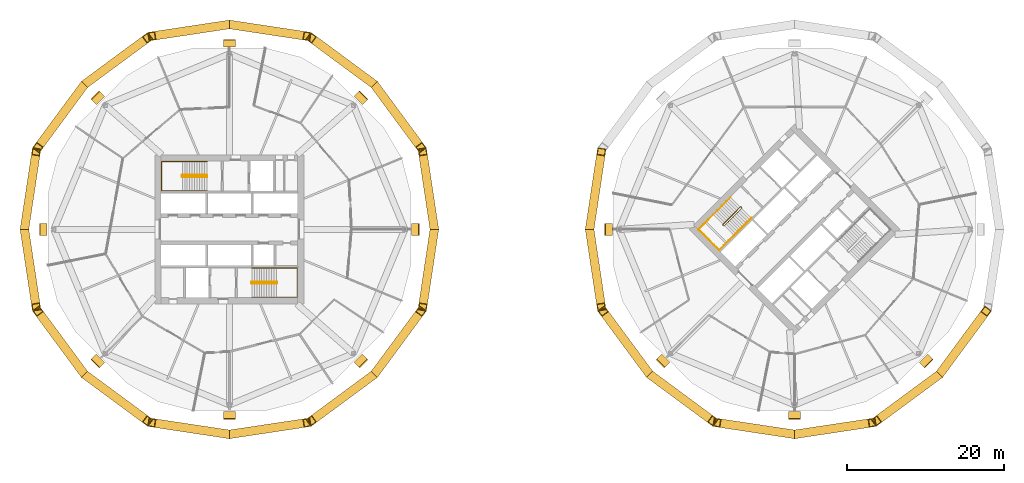
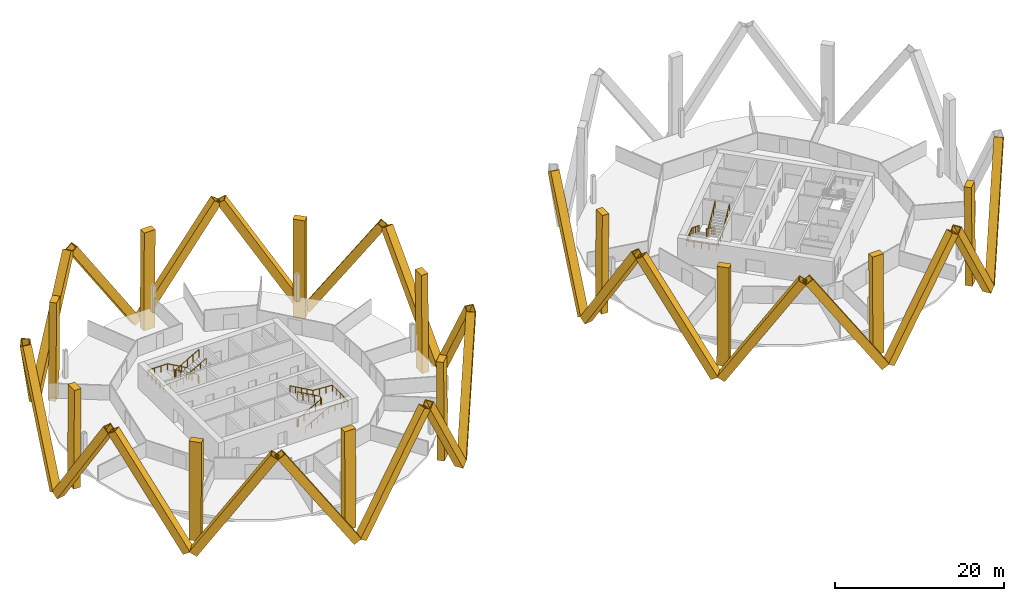
# One storey, part 9 of 10: 36 coverings, 6 railings.
"""IFC4 building model written with IfcOpenShell, lengths in metres."""

from ifc_helpers import new_model, si_unit, direction, frame, origin, origin_2d, place, context, subcontext, project, spatial, rectangle, hollow_rectangle, circle, extrude, material, material_profile, profile_set, type_object, element, save


model = new_model("IFC4")

# Units and contexts
model_context = context("Model", 3, precision=1e-05, world=origin(), true_north=direction((0.0, 1.0)))
body_context = subcontext(model_context, "Body", "Model", "MODEL_VIEW")
ifc_project = project(units=[si_unit("LENGTHUNIT", "METRE"), si_unit("AREAUNIT", "SQUARE_METRE"), si_unit("VOLUMEUNIT", "CUBIC_METRE"), si_unit("PLANEANGLEUNIT", "RADIAN"), si_unit("MASSUNIT", "GRAM", prefix="KILO")], contexts=[model_context])

# Site, building, storey
site_placement = place(None, origin())
site = spatial("IfcSite", under=ifc_project, at=site_placement, CompositionType="ELEMENT")
building_placement = place(site_placement, origin())
building = spatial("IfcBuilding", under=site, at=building_placement, Name="Ogive Gate Towers", CompositionType="ELEMENT")
storey_placement = place(building_placement, frame((0.0, 0.0, 119.10009765625)))
storey = spatial("IfcBuildingStorey", under=building, at=storey_placement, Name="L28", CompositionType="ELEMENT", Elevation=119.10009765625)

# Coverings
ifc_material_1 = material(Name="Pale metal aluminium", Category="aluminium")
ifc_material_profile_1 = material_profile(ifc_material_1, rectangle(XDim=1.5, YDim=0.89990234375, at=origin_2d()), Name="1500 x 900 pale metal aluminium")
ifc_profile_set_1 = profile_set([ifc_material_profile_1], Name="Pale metal aluminium")
covering_type_1 = type_object("IfcCoveringType", Name="Crease colonnette 1500 x 900", PredefinedType="CLADDING", material=ifc_profile_set_1)
for number, where, z_axis, x_axis, name in (
    (1, (-12.22998046875, 0.0, -3.2001953125), (-0.007753704057, 0.0, 0.999969939585), (0.0, -1.0, 0.0), "Crease colonnette"),
    (2, (-19.192138671875, 16.807861328125, -3.2001953125), (-0.005467135943, -0.005467135943, 0.999970109978), (0.707106781187, -0.707106781187, 0.0), "Crease colonnette"),
    (3, (-36.0, 23.77001953125, -3.2001953125), (0.0, -0.007753704057, 0.999969939585), (1.0, 0.0, 0.0), "Crease colonnette"),
    (4, (-52.807861328125, 16.807861328125, -3.2001953125), (0.005467135943, -0.005467135943, 0.999970109978), (0.707106781187, 0.707106781187, 0.0), "Crease colonnette"),
    (5, (-59.77001953125, 0.0, -3.2001953125), (0.007753704057, 0.0, 0.999969939585), (0.0, 1.0, 0.0), "Crease colonnette"),
    (6, (-52.807861328125, -16.807861328125, -3.2001953125), (0.005467135943, 0.005467135943, 0.999970109978), (-0.707106781187, 0.707106781187, 0.0), "Crease colonnette"),
    (7, (-36.0, -23.77001953125, -3.2001953125), (0.0, 0.007753704057, 0.999969939585), (-1.0, 0.0, 0.0), "Crease colonnette"),
    (8, (-19.192138671875, -16.807861328125, -3.2001953125), (-0.005467135943, 0.005467135943, 0.999970109978), (-0.707106781187, -0.707106781187, 0.0), "Crease colonnette"),
    (9, (12.22998046875, 0.0, -3.2001953125), (0.007753704057, 0.0, 0.999969939585), (0.0, 1.0, 0.0), "Crease colonnette"),
    (10, (19.192138671875, -16.807861328125, -3.2001953125), (0.005467135943, 0.005467135943, 0.999970109978), (-0.707106781187, 0.707106781187, 0.0), "Crease colonnette"),
    (11, (36.0, -23.77001953125, -3.2001953125), (0.0, 0.007753704057, 0.999969939585), (-1.0, 0.0, 0.0), "Crease colonnette"),
    (12, (52.807861328125, -16.807861328125, -3.2001953125), (-0.005467135943, 0.005467135943, 0.999970109978), (-0.707106781187, -0.707106781187, 0.0), "Crease colonnette"),
):
    element("IfcCovering", number, at=place(storey_placement, frame(where, z_axis=z_axis, x_axis=x_axis)), inside=storey, type_object=covering_type_1, Name=name, PredefinedType="CLADDING", context=body_context, shape_type="SweptSolid", body=[
        extrude(rectangle(XDim=1.5, YDim=0.89990234375, at=origin_2d()), origin(), (0.0, 0.0, 1.0), 14.20068359375),
    ])
ifc_material_2 = material(Name="Pale metal aluminium cladding", Category="aluminium")
ifc_material_profile_2 = material_profile(ifc_material_2, hollow_rectangle(XDim=1.10009765625, YDim=1.10009765625, WallThickness=0.10009765625, at=origin_2d()), Name="1100 x 1100 pale metal casing")
ifc_profile_set_2 = profile_set([ifc_material_profile_2], Name="Pale metal aluminium cladding")
covering_type_2 = type_object("IfcCoveringType", Name="Diagrid casing 1100 x 1100", PredefinedType="CLADDING", material=ifc_profile_set_2)
for number, where, z_axis, x_axis, name in (
    (13, (-9.935302734375, -0.299560546875, -3.44091796875), (-0.082109716204, -0.544636134816, 0.834643322119), (0.988825734438, -0.149076044059, 0.0), "Diagrid casing"),
    (14, (-9.935302734375, 0.299560546875, -3.44091796875), (-0.082109716204, 0.544636134816, 0.834643322119), (-0.988825734438, -0.149076044059, 0.0), "Diagrid casing"),
    (15, (-17.357421875, 18.218994140625, -3.44091796875), (0.327036666964, -0.443192074417, 0.834642320779), (0.804644593258, 0.593756750311, 0.0), "Diagrid casing"),
    (16, (-17.781005859375, 18.642578125, -3.44091796875), (-0.443192074417, 0.327036666964, 0.834642320779), (-0.593756750311, -0.804644593258, 0.0), "Diagrid casing"),
    (17, (-35.700439453125, 26.064697265625, -3.44091796875), (0.544636134816, -0.082109716204, 0.834643322119), (0.149076044059, 0.988825734438, 0.0), "Diagrid casing"),
    (18, (-36.299560546875, 26.064697265625, -3.44091796875), (-0.544636134816, -0.082109716204, 0.834643322119), (0.149076044059, -0.988825734438, 0.0), "Diagrid casing"),
    (19, (-54.218994140625, 18.642578125, -3.44091796875), (0.443192074417, 0.327036666964, 0.834642320779), (-0.593756750311, 0.804644593258, 0.0), "Diagrid casing"),
    (20, (-54.642578125, 18.218994140625, -3.44091796875), (-0.327036666964, -0.443192074417, 0.834642320779), (0.804644593258, -0.593756750311, 0.0), "Diagrid casing"),
    (21, (-62.064697265625, 0.299560546875, -3.44091796875), (0.082109716204, 0.544636134816, 0.834643322119), (-0.988825734438, 0.149076044059, 0.0), "Diagrid casing"),
    (22, (-62.064697265625, -0.299560546875, -3.44091796875), (0.082109716204, -0.544636134816, 0.834643322119), (0.988825734438, 0.149076044059, 0.0), "Diagrid casing"),
    (23, (-54.642578125, -18.218994140625, -3.44091796875), (-0.327036666964, 0.443192074417, 0.834642320779), (-0.804644593258, -0.593756750311, 0.0), "Diagrid casing"),
    (24, (-54.218994140625, -18.642578125, -3.44091796875), (0.443192074417, -0.327036666964, 0.834642320779), (0.593756750311, 0.804644593258, 0.0), "Diagrid casing"),
    (25, (-36.299560546875, -26.064697265625, -3.44091796875), (-0.544636134816, 0.082109716204, 0.834643322119), (-0.149076044059, -0.988825734438, 0.0), "Diagrid casing"),
    (26, (-35.700439453125, -26.064697265625, -3.44091796875), (0.544636134816, 0.082109716204, 0.834643322119), (-0.149076044059, 0.988825734438, 0.0), "Diagrid casing"),
    (27, (-17.781005859375, -18.642578125, -3.44091796875), (-0.443192074417, -0.327036666964, 0.834642320779), (0.593756750311, -0.804644593258, 0.0), "Diagrid casing"),
    (28, (-17.357421875, -18.218994140625, -3.44091796875), (0.327036666964, 0.443192074417, 0.834642320779), (-0.804644593258, 0.593756750311, 0.0), "Diagrid casing"),
    (29, (9.935302734375, 0.299560546875, -3.44091796875), (0.082109716204, 0.544636134816, 0.834643322119), (-0.988825734438, 0.149076044059, 0.0), "Diagrid casing"),
    (30, (9.935302734375, -0.299560546875, -3.44091796875), (0.082109716204, -0.544636134816, 0.834643322119), (0.988825734438, 0.149076044059, 0.0), "Diagrid casing"),
    (31, (17.357421875, -18.218994140625, -3.44091796875), (-0.327036666964, 0.443192074417, 0.834642320779), (-0.804644593258, -0.593756750311, 0.0), "Diagrid casing"),
    (32, (17.781005859375, -18.642578125, -3.44091796875), (0.443192074417, -0.327036666964, 0.834642320779), (0.593756750311, 0.804644593258, 0.0), "Diagrid casing"),
    (33, (35.700439453125, -26.064697265625, -3.44091796875), (-0.544636134816, 0.082109716204, 0.834643322119), (-0.149076044059, -0.988825734438, 0.0), "Diagrid casing"),
    (34, (36.299560546875, -26.064697265625, -3.44091796875), (0.544636134816, 0.082109716204, 0.834643322119), (-0.149076044059, 0.988825734438, 0.0), "Diagrid casing"),
    (35, (54.218994140625, -18.642578125, -3.44091796875), (-0.443192074417, -0.327036666964, 0.834642320779), (0.593756750311, -0.804644593258, 0.0), "Diagrid casing"),
    (36, (54.642578125, -18.218994140625, -3.44091796875), (0.327036666964, 0.443192074417, 0.834642320779), (-0.804644593258, 0.593756750311, 0.0), "Diagrid casing"),
):
    element("IfcCovering", number, at=place(storey_placement, frame(where, z_axis=z_axis, x_axis=x_axis)), inside=storey, type_object=covering_type_2, Name=name, PredefinedType="CLADDING", context=body_context, shape_type="SweptSolid", body=[
        extrude(hollow_rectangle(XDim=1.10009765625, YDim=1.10009765625, WallThickness=0.10009765625, at=origin_2d()), origin(), (0.0, 0.0, 1.0), 17.59033203125),
    ])

# Railings
ifc_material_3 = material(Name="Stainless steel", Category="steel")
railing_type_1 = type_object("IfcRailingType", Name="Stair guard 1100", PredefinedType="GUARDRAIL", material=ifc_material_3)
railing_1_placement = place(storey_placement, frame((-38.81494140625, 6.860107421875, 0.0)))
element("IfcRailing", 37, at=railing_1_placement, inside=storey, type_object=railing_type_1, Name="L28 ST1 stair guard 1", PredefinedType="GUARDRAIL", context=body_context, shape_type="SweptSolid", body=[
    extrude(circle(Radius=0.02392578125, at=origin_2d()), frame((0.0, 0.0, 1.076171875), z_axis=(0.0, -1.0, 0.0), x_axis=(1.0, 0.0, 0.0)), (0.0, 0.0, 1.0), 0.14501953125),
    extrude(circle(Radius=0.02392578125, at=origin_2d()), frame((0.0, -0.14501953125, 1.076171875), z_axis=(-0.186679794065, 0.726685247142, 0.661119660934), x_axis=(-0.968551454522, -0.24881334358, 0.0)), (0.0, 0.0, 1.0), 0.26806640625),
    extrude(circle(Radius=0.02392578125, at=origin_2d()), frame((-0.050048828125, 0.0498046875, 1.25341796875), z_axis=(-0.870572935281, 0.0, 0.492039393094), x_axis=(0.0, -1.0, 0.0)), (0.0, 0.0, 1.0), 3.602783203125),
    extrude(circle(Radius=0.02392578125, at=origin_2d()), frame((-3.1865234375, 0.0498046875, 3.02587890625), z_axis=(-0.707106781187, -0.707106781187, 0.0), x_axis=(0.707106781187, -0.707106781187, 0.0)), (0.0, 0.0, 1.0), 0.0703125),
    extrude(circle(Radius=0.02392578125, at=origin_2d()), frame((-3.236328125, 0.0, 3.02587890625), z_axis=(0.0, -1.0, 0.0), x_axis=(1.0, 0.0, 0.0)), (0.0, 0.0, 1.0), 0.14501953125),
    extrude(circle(Radius=0.02392578125, at=origin_2d()), frame((-3.236328125, -0.14501953125, 3.02587890625), z_axis=(0.261041864531, -0.262321481514, 0.929001929653), x_axis=(0.708833529934, 0.705375805398, 0.0)), (0.0, 0.0, 1.0), 0.190673828125),
    extrude(circle(Radius=0.02392578125, at=origin_2d()), frame((-3.1865234375, -0.195068359375, 3.203125), z_axis=(0.870572935281, 0.0, 0.492039393094), x_axis=(0.0, 1.0, 0.0)), (0.0, 0.0, 1.0), 3.602783203125),
    extrude(circle(Radius=0.02099609375, at=origin_2d()), origin(), (0.0, 0.0, 1.0), 1.052001953125),
    extrude(circle(Radius=0.02099609375, at=origin_2d()), frame((0.0, -0.14501953125, 0.0)), (0.0, 0.0, 1.0), 1.052001953125),
    extrude(circle(Radius=0.02099609375, at=origin_2d()), frame((-0.050048828125, 0.0498046875, 0.17724609375)), (0.0, 0.0, 1.0), 1.052001953125),
    extrude(circle(Radius=0.02099609375, at=origin_2d()), frame((-0.834228515625, 0.0498046875, 0.620361328125)), (0.0, 0.0, 1.0), 1.052001953125),
    extrude(circle(Radius=0.02099609375, at=origin_2d()), frame((-1.6181640625, 0.0498046875, 1.0634765625)), (0.0, 0.0, 1.0), 1.052001953125),
    extrude(circle(Radius=0.02099609375, at=origin_2d()), frame((-2.40234375, 0.0498046875, 1.5068359375)), (0.0, 0.0, 1.0), 1.052001953125),
    extrude(circle(Radius=0.02099609375, at=origin_2d()), frame((-3.1865234375, 0.0498046875, 1.949951171875)), (0.0, 0.0, 1.0), 1.052001953125),
    extrude(circle(Radius=0.02099609375, at=origin_2d()), frame((-3.236328125, 0.0, 1.949951171875)), (0.0, 0.0, 1.0), 1.052001953125),
    extrude(circle(Radius=0.02099609375, at=origin_2d()), frame((-3.236328125, -0.14501953125, 1.949951171875)), (0.0, 0.0, 1.0), 1.052001953125),
    extrude(circle(Radius=0.02099609375, at=origin_2d()), frame((-3.1865234375, -0.195068359375, 2.127197265625)), (0.0, 0.0, 1.0), 1.052001953125),
    extrude(circle(Radius=0.02099609375, at=origin_2d()), frame((-2.40234375, -0.195068359375, 2.5703125)), (0.0, 0.0, 1.0), 1.052001953125),
    extrude(circle(Radius=0.02099609375, at=origin_2d()), frame((-1.6181640625, -0.195068359375, 3.013671875)), (0.0, 0.0, 1.0), 1.052001953125),
    extrude(circle(Radius=0.02099609375, at=origin_2d()), frame((-0.834228515625, -0.195068359375, 3.456787109375)), (0.0, 0.0, 1.0), 1.052001953125),
    extrude(circle(Radius=0.02099609375, at=origin_2d()), frame((-0.050048828125, -0.195068359375, 3.89990234375)), (0.0, 0.0, 1.0), 1.052001953125),
])
railing_2_placement = place(storey_placement, frame((-33.18505859375, -6.860107421875, 0.0)))
element("IfcRailing", 38, at=railing_2_placement, inside=storey, type_object=railing_type_1, Name="L28 ST2 stair guard 1", PredefinedType="GUARDRAIL", context=body_context, shape_type="SweptSolid", body=[
    extrude(circle(Radius=0.02392578125, at=origin_2d()), frame((0.0, 0.0, 1.076171875), z_axis=(0.0, 1.0, 0.0), x_axis=(-1.0, 0.0, 0.0)), (0.0, 0.0, 1.0), 0.14501953125),
    extrude(circle(Radius=0.02392578125, at=origin_2d()), frame((0.0, 0.14501953125, 1.076171875), z_axis=(0.186679794065, -0.726685247142, 0.661119660934), x_axis=(0.968551454522, 0.24881334358, 0.0)), (0.0, 0.0, 1.0), 0.26806640625),
    extrude(circle(Radius=0.02392578125, at=origin_2d()), frame((0.050048828125, -0.0498046875, 1.25341796875), z_axis=(0.870572935281, 0.0, 0.492039393094), x_axis=(0.0, 1.0, 0.0)), (0.0, 0.0, 1.0), 3.602783203125),
    extrude(circle(Radius=0.02392578125, at=origin_2d()), frame((3.1865234375, -0.0498046875, 3.02587890625), z_axis=(0.707106781187, 0.707106781187, 0.0), x_axis=(-0.707106781187, 0.707106781187, 0.0)), (0.0, 0.0, 1.0), 0.0703125),
    extrude(circle(Radius=0.02392578125, at=origin_2d()), frame((3.236328125, 0.0, 3.02587890625), z_axis=(0.0, 1.0, 0.0), x_axis=(-1.0, 0.0, 0.0)), (0.0, 0.0, 1.0), 0.14501953125),
    extrude(circle(Radius=0.02392578125, at=origin_2d()), frame((3.236328125, 0.14501953125, 3.02587890625), z_axis=(-0.261041864531, 0.262321481514, 0.929001929653), x_axis=(-0.708833529934, -0.705375805398, 0.0)), (0.0, 0.0, 1.0), 0.190673828125),
    extrude(circle(Radius=0.02392578125, at=origin_2d()), frame((3.1865234375, 0.195068359375, 3.203125), z_axis=(-0.870572935281, 0.0, 0.492039393094), x_axis=(0.0, -1.0, 0.0)), (0.0, 0.0, 1.0), 3.602783203125),
    extrude(circle(Radius=0.02099609375, at=origin_2d()), origin(), (0.0, 0.0, 1.0), 1.052001953125),
    extrude(circle(Radius=0.02099609375, at=origin_2d()), frame((0.0, 0.14501953125, 0.0)), (0.0, 0.0, 1.0), 1.052001953125),
    extrude(circle(Radius=0.02099609375, at=origin_2d()), frame((0.050048828125, -0.0498046875, 0.17724609375)), (0.0, 0.0, 1.0), 1.052001953125),
    extrude(circle(Radius=0.02099609375, at=origin_2d()), frame((0.834228515625, -0.0498046875, 0.620361328125)), (0.0, 0.0, 1.0), 1.052001953125),
    extrude(circle(Radius=0.02099609375, at=origin_2d()), frame((1.6181640625, -0.0498046875, 1.0634765625)), (0.0, 0.0, 1.0), 1.052001953125),
    extrude(circle(Radius=0.02099609375, at=origin_2d()), frame((2.40234375, -0.0498046875, 1.5068359375)), (0.0, 0.0, 1.0), 1.052001953125),
    extrude(circle(Radius=0.02099609375, at=origin_2d()), frame((3.1865234375, -0.0498046875, 1.949951171875)), (0.0, 0.0, 1.0), 1.052001953125),
    extrude(circle(Radius=0.02099609375, at=origin_2d()), frame((3.236328125, 0.0, 1.949951171875)), (0.0, 0.0, 1.0), 1.052001953125),
    extrude(circle(Radius=0.02099609375, at=origin_2d()), frame((3.236328125, 0.14501953125, 1.949951171875)), (0.0, 0.0, 1.0), 1.052001953125),
    extrude(circle(Radius=0.02099609375, at=origin_2d()), frame((3.1865234375, 0.195068359375, 2.127197265625)), (0.0, 0.0, 1.0), 1.052001953125),
    extrude(circle(Radius=0.02099609375, at=origin_2d()), frame((2.40234375, 0.195068359375, 2.5703125)), (0.0, 0.0, 1.0), 1.052001953125),
    extrude(circle(Radius=0.02099609375, at=origin_2d()), frame((1.6181640625, 0.195068359375, 3.013671875)), (0.0, 0.0, 1.0), 1.052001953125),
    extrude(circle(Radius=0.02099609375, at=origin_2d()), frame((0.834228515625, 0.195068359375, 3.456787109375)), (0.0, 0.0, 1.0), 1.052001953125),
    extrude(circle(Radius=0.02099609375, at=origin_2d()), frame((0.050048828125, 0.195068359375, 3.89990234375)), (0.0, 0.0, 1.0), 1.052001953125),
])
railing_3_placement = place(storey_placement, frame((29.15869140625, 2.8603515625, 0.0)))
element("IfcRailing", 39, at=railing_3_placement, inside=storey, type_object=railing_type_1, Name="L28 ST1 stair guard 1", PredefinedType="GUARDRAIL", context=body_context, shape_type="SweptSolid", body=[
    extrude(circle(Radius=0.02392578125, at=origin_2d()), frame((0.0, 0.0, 1.076171875), z_axis=(0.707106781187, -0.707106781187, 0.0), x_axis=(0.707106781187, 0.707106781187, 0.0)), (0.0, 0.0, 1.0), 0.14501953125),
    extrude(circle(Radius=0.02392578125, at=origin_2d()), frame((0.1025390625, -0.1025390625, 1.076171875), z_axis=(-0.645571447971, 0.382425963537, 0.661050594114), x_axis=(-0.509669330572, -0.860370369942, 0.0)), (0.0, 0.0, 1.0), 0.26806640625),
    extrude(circle(Radius=0.02392578125, at=origin_2d()), frame((-0.070556640625, 0.0, 1.25341796875), z_axis=(-0.61558473135, -0.61558473135, 0.49204763698), x_axis=(0.707106781187, -0.707106781187, 0.0)), (0.0, 0.0, 1.0), 3.602783203125),
    extrude(circle(Radius=0.02392578125, at=origin_2d()), frame((-2.288330078125, -2.2177734375, 3.02587890625), z_axis=(0.0, -1.0, 0.0), x_axis=(1.0, 0.0, 0.0)), (0.0, 0.0, 1.0), 0.07080078125),
    extrude(circle(Radius=0.02392578125, at=origin_2d()), frame((-2.288330078125, -2.28857421875, 3.02587890625), z_axis=(0.707106781187, -0.707106781187, 0.0), x_axis=(0.707106781187, 0.707106781187, 0.0)), (0.0, 0.0, 1.0), 0.14501953125),
    extrude(circle(Radius=0.02392578125, at=origin_2d()), frame((-2.185791015625, -2.39111328125, 3.02587890625), z_axis=(0.369845645421, 0.0, 0.929093213065), x_axis=(0.0, 1.0, 0.0)), (0.0, 0.0, 1.0), 0.190673828125),
    extrude(circle(Radius=0.02392578125, at=origin_2d()), frame((-2.115234375, -2.39111328125, 3.203125), z_axis=(0.61558473135, 0.61558473135, 0.49204763698), x_axis=(-0.707106781187, 0.707106781187, 0.0)), (0.0, 0.0, 1.0), 3.602783203125),
    extrude(circle(Radius=0.02099609375, at=origin_2d()), origin(), (0.0, 0.0, 1.0), 1.052001953125),
    extrude(circle(Radius=0.02099609375, at=origin_2d()), frame((0.1025390625, -0.1025390625, 0.0)), (0.0, 0.0, 1.0), 1.052001953125),
    extrude(circle(Radius=0.02099609375, at=origin_2d()), frame((-0.070556640625, 0.0, 0.17724609375)), (0.0, 0.0, 1.0), 1.052001953125),
    extrude(circle(Radius=0.02099609375, at=origin_2d()), frame((-0.625, -0.554443359375, 0.620361328125)), (0.0, 0.0, 1.0), 1.052001953125),
    extrude(circle(Radius=0.02099609375, at=origin_2d()), frame((-1.179443359375, -1.10888671875, 1.0634765625)), (0.0, 0.0, 1.0), 1.052001953125),
    extrude(circle(Radius=0.02099609375, at=origin_2d()), frame((-1.73388671875, -1.663330078125, 1.5068359375)), (0.0, 0.0, 1.0), 1.052001953125),
    extrude(circle(Radius=0.02099609375, at=origin_2d()), frame((-2.288330078125, -2.2177734375, 1.949951171875)), (0.0, 0.0, 1.0), 1.052001953125),
    extrude(circle(Radius=0.02099609375, at=origin_2d()), frame((-2.288330078125, -2.28857421875, 1.949951171875)), (0.0, 0.0, 1.0), 1.052001953125),
    extrude(circle(Radius=0.02099609375, at=origin_2d()), frame((-2.185791015625, -2.39111328125, 1.949951171875)), (0.0, 0.0, 1.0), 1.052001953125),
    extrude(circle(Radius=0.02099609375, at=origin_2d()), frame((-2.115234375, -2.39111328125, 2.127197265625)), (0.0, 0.0, 1.0), 1.052001953125),
    extrude(circle(Radius=0.02099609375, at=origin_2d()), frame((-1.560791015625, -1.836669921875, 2.5703125)), (0.0, 0.0, 1.0), 1.052001953125),
    extrude(circle(Radius=0.02099609375, at=origin_2d()), frame((-1.00634765625, -1.2822265625, 3.013671875)), (0.0, 0.0, 1.0), 1.052001953125),
    extrude(circle(Radius=0.02099609375, at=origin_2d()), frame((-0.451904296875, -0.727783203125, 3.456787109375)), (0.0, 0.0, 1.0), 1.052001953125),
    extrude(circle(Radius=0.02099609375, at=origin_2d()), frame((0.1025390625, -0.17333984375, 3.89990234375)), (0.0, 0.0, 1.0), 1.052001953125),
])
railing_type_2 = type_object("IfcRailingType", Name="Stair handrail 900", PredefinedType="HANDRAIL", material=ifc_material_3)
railing_4_placement = place(storey_placement, frame((-38.864990234375, 8.64990234375, 0.17724609375)))
element("IfcRailing", 40, at=railing_4_placement, inside=storey, type_object=railing_type_2, Name="L28 ST1 stair handrail 1", PredefinedType="HANDRAIL", context=body_context, shape_type="SweptSolid", body=[
    extrude(circle(Radius=0.02392578125, at=origin_2d()), frame((0.0, 0.0, 0.8759765625), z_axis=(-0.870572935281, 0.0, 0.492039393094), x_axis=(0.0, -1.0, 0.0)), (0.0, 0.0, 1.0), 3.602783203125),
    extrude(circle(Radius=0.02392578125, at=origin_2d()), frame((-3.136474609375, 0.0, 2.6484375), z_axis=(-1.0, 0.0, 0.0), x_axis=(0.0, -1.0, 0.0)), (0.0, 0.0, 1.0), 2.6484375),
    extrude(circle(Radius=0.02392578125, at=origin_2d()), frame((-5.784912109375, 0.0, 2.6484375), z_axis=(0.0, -1.0, 0.0), x_axis=(1.0, 0.0, 0.0)), (0.0, 0.0, 1.0), 3.724853515625),
    extrude(circle(Radius=0.02392578125, at=origin_2d()), frame((-5.784912109375, -3.724853515625, 2.6484375), z_axis=(0.997768031817, 0.0, 0.066775404784), x_axis=(0.0, 1.0, 0.0)), (0.0, 0.0, 1.0), 2.654296875),
    extrude(circle(Radius=0.02392578125, at=origin_2d()), frame((-3.136474609375, -3.724853515625, 2.82568359375), z_axis=(0.870572935281, 0.0, 0.492039393094), x_axis=(0.0, 1.0, 0.0)), (0.0, 0.0, 1.0), 3.602783203125),
    extrude(circle(Radius=0.02099609375, at=origin_2d()), origin(), (0.0, 0.0, 1.0), 0.851806640625),
    extrude(circle(Radius=0.02099609375, at=origin_2d()), frame((-0.7841796875, 0.0, 0.443115234375)), (0.0, 0.0, 1.0), 0.851806640625),
    extrude(circle(Radius=0.02099609375, at=origin_2d()), frame((-1.568359375, 0.0, 0.88623046875)), (0.0, 0.0, 1.0), 0.851806640625),
    extrude(circle(Radius=0.02099609375, at=origin_2d()), frame((-2.352294921875, 0.0, 1.32958984375)), (0.0, 0.0, 1.0), 0.851806640625),
    extrude(circle(Radius=0.02099609375, at=origin_2d()), frame((-3.136474609375, 0.0, 1.772705078125)), (0.0, 0.0, 1.0), 0.851806640625),
    extrude(circle(Radius=0.02099609375, at=origin_2d()), frame((-4.019287109375, 0.0, 1.772705078125)), (0.0, 0.0, 1.0), 0.851806640625),
    extrude(circle(Radius=0.02099609375, at=origin_2d()), frame((-4.902099609375, 0.0, 1.772705078125)), (0.0, 0.0, 1.0), 0.851806640625),
    extrude(circle(Radius=0.02099609375, at=origin_2d()), frame((-5.784912109375, 0.0, 1.772705078125)), (0.0, 0.0, 1.0), 0.851806640625),
    extrude(circle(Radius=0.02099609375, at=origin_2d()), frame((-5.784912109375, -0.93115234375, 1.772705078125)), (0.0, 0.0, 1.0), 0.851806640625),
    extrude(circle(Radius=0.02099609375, at=origin_2d()), frame((-5.784912109375, -1.8623046875, 1.772705078125)), (0.0, 0.0, 1.0), 0.851806640625),
    extrude(circle(Radius=0.02099609375, at=origin_2d()), frame((-5.784912109375, -2.793701171875, 1.772705078125)), (0.0, 0.0, 1.0), 0.851806640625),
    extrude(circle(Radius=0.02099609375, at=origin_2d()), frame((-5.784912109375, -3.724853515625, 1.772705078125)), (0.0, 0.0, 1.0), 0.851806640625),
    extrude(circle(Radius=0.02099609375, at=origin_2d()), frame((-4.902099609375, -3.724853515625, 1.831787109375)), (0.0, 0.0, 1.0), 0.851806640625),
    extrude(circle(Radius=0.02099609375, at=origin_2d()), frame((-4.019287109375, -3.724853515625, 1.890869140625)), (0.0, 0.0, 1.0), 0.851806640625),
    extrude(circle(Radius=0.02099609375, at=origin_2d()), frame((-3.136474609375, -3.724853515625, 1.949951171875)), (0.0, 0.0, 1.0), 0.851806640625),
    extrude(circle(Radius=0.02099609375, at=origin_2d()), frame((-2.352294921875, -3.724853515625, 2.39306640625)), (0.0, 0.0, 1.0), 0.851806640625),
    extrude(circle(Radius=0.02099609375, at=origin_2d()), frame((-1.568359375, -3.724853515625, 2.83642578125)), (0.0, 0.0, 1.0), 0.851806640625),
    extrude(circle(Radius=0.02099609375, at=origin_2d()), frame((-0.7841796875, -3.724853515625, 3.279541015625)), (0.0, 0.0, 1.0), 0.851806640625),
    extrude(circle(Radius=0.02099609375, at=origin_2d()), frame((0.0, -3.724853515625, 3.72265625)), (0.0, 0.0, 1.0), 0.851806640625),
])
railing_5_placement = place(storey_placement, frame((-33.135009765625, -8.64990234375, 0.17724609375)))
element("IfcRailing", 41, at=railing_5_placement, inside=storey, type_object=railing_type_2, Name="L28 ST2 stair handrail 1", PredefinedType="HANDRAIL", context=body_context, shape_type="SweptSolid", body=[
    extrude(circle(Radius=0.02392578125, at=origin_2d()), frame((0.0, 0.0, 0.8759765625), z_axis=(0.870572935281, 0.0, 0.492039393094), x_axis=(0.0, 1.0, 0.0)), (0.0, 0.0, 1.0), 3.602783203125),
    extrude(circle(Radius=0.02392578125, at=origin_2d()), frame((3.136474609375, 0.0, 2.6484375), z_axis=(1.0, 0.0, 0.0), x_axis=(0.0, 1.0, 0.0)), (0.0, 0.0, 1.0), 2.6484375),
    extrude(circle(Radius=0.02392578125, at=origin_2d()), frame((5.784912109375, 0.0, 2.6484375), z_axis=(0.0, 1.0, 0.0), x_axis=(-1.0, 0.0, 0.0)), (0.0, 0.0, 1.0), 3.724853515625),
    extrude(circle(Radius=0.02392578125, at=origin_2d()), frame((5.784912109375, 3.724853515625, 2.6484375), z_axis=(-0.997768031817, 0.0, 0.066775404784), x_axis=(0.0, -1.0, 0.0)), (0.0, 0.0, 1.0), 2.654296875),
    extrude(circle(Radius=0.02392578125, at=origin_2d()), frame((3.136474609375, 3.724853515625, 2.82568359375), z_axis=(-0.870572935281, 0.0, 0.492039393094), x_axis=(0.0, -1.0, 0.0)), (0.0, 0.0, 1.0), 3.602783203125),
    extrude(circle(Radius=0.02099609375, at=origin_2d()), origin(), (0.0, 0.0, 1.0), 0.851806640625),
    extrude(circle(Radius=0.02099609375, at=origin_2d()), frame((0.7841796875, 0.0, 0.443115234375)), (0.0, 0.0, 1.0), 0.851806640625),
    extrude(circle(Radius=0.02099609375, at=origin_2d()), frame((1.568359375, 0.0, 0.88623046875)), (0.0, 0.0, 1.0), 0.851806640625),
    extrude(circle(Radius=0.02099609375, at=origin_2d()), frame((2.352294921875, 0.0, 1.32958984375)), (0.0, 0.0, 1.0), 0.851806640625),
    extrude(circle(Radius=0.02099609375, at=origin_2d()), frame((3.136474609375, 0.0, 1.772705078125)), (0.0, 0.0, 1.0), 0.851806640625),
    extrude(circle(Radius=0.02099609375, at=origin_2d()), frame((4.019287109375, 0.0, 1.772705078125)), (0.0, 0.0, 1.0), 0.851806640625),
    extrude(circle(Radius=0.02099609375, at=origin_2d()), frame((4.902099609375, 0.0, 1.772705078125)), (0.0, 0.0, 1.0), 0.851806640625),
    extrude(circle(Radius=0.02099609375, at=origin_2d()), frame((5.784912109375, 0.0, 1.772705078125)), (0.0, 0.0, 1.0), 0.851806640625),
    extrude(circle(Radius=0.02099609375, at=origin_2d()), frame((5.784912109375, 0.93115234375, 1.772705078125)), (0.0, 0.0, 1.0), 0.851806640625),
    extrude(circle(Radius=0.02099609375, at=origin_2d()), frame((5.784912109375, 1.8623046875, 1.772705078125)), (0.0, 0.0, 1.0), 0.851806640625),
    extrude(circle(Radius=0.02099609375, at=origin_2d()), frame((5.784912109375, 2.793701171875, 1.772705078125)), (0.0, 0.0, 1.0), 0.851806640625),
    extrude(circle(Radius=0.02099609375, at=origin_2d()), frame((5.784912109375, 3.724853515625, 1.772705078125)), (0.0, 0.0, 1.0), 0.851806640625),
    extrude(circle(Radius=0.02099609375, at=origin_2d()), frame((4.902099609375, 3.724853515625, 1.831787109375)), (0.0, 0.0, 1.0), 0.851806640625),
    extrude(circle(Radius=0.02099609375, at=origin_2d()), frame((4.019287109375, 3.724853515625, 1.890869140625)), (0.0, 0.0, 1.0), 0.851806640625),
    extrude(circle(Radius=0.02099609375, at=origin_2d()), frame((3.136474609375, 3.724853515625, 1.949951171875)), (0.0, 0.0, 1.0), 0.851806640625),
    extrude(circle(Radius=0.02099609375, at=origin_2d()), frame((2.352294921875, 3.724853515625, 2.39306640625)), (0.0, 0.0, 1.0), 0.851806640625),
    extrude(circle(Radius=0.02099609375, at=origin_2d()), frame((1.568359375, 3.724853515625, 2.83642578125)), (0.0, 0.0, 1.0), 0.851806640625),
    extrude(circle(Radius=0.02099609375, at=origin_2d()), frame((0.7841796875, 3.724853515625, 3.279541015625)), (0.0, 0.0, 1.0), 0.851806640625),
    extrude(circle(Radius=0.02099609375, at=origin_2d()), frame((0.0, 3.724853515625, 3.72265625)), (0.0, 0.0, 1.0), 0.851806640625),
])
railing_6_placement = place(storey_placement, frame((27.857666015625, 4.090576171875, 0.17724609375)))
element("IfcRailing", 42, at=railing_6_placement, inside=storey, type_object=railing_type_2, Name="L28 ST1 stair handrail 1", PredefinedType="HANDRAIL", context=body_context, shape_type="SweptSolid", body=[
    extrude(circle(Radius=0.02392578125, at=origin_2d()), frame((0.0, 0.0, 0.8759765625), z_axis=(-0.61558473135, -0.61558473135, 0.49204763698), x_axis=(0.707106781187, -0.707106781187, 0.0)), (0.0, 0.0, 1.0), 3.602783203125),
    extrude(circle(Radius=0.02392578125, at=origin_2d()), frame((-2.2177734375, -2.2177734375, 2.6484375), z_axis=(-0.707106781187, -0.707106781187, 0.0), x_axis=(0.707106781187, -0.707106781187, 0.0)), (0.0, 0.0, 1.0), 2.6484375),
    extrude(circle(Radius=0.02392578125, at=origin_2d()), frame((-4.090576171875, -4.090576171875, 2.6484375), z_axis=(0.707106781187, -0.707106781187, 0.0), x_axis=(0.707106781187, 0.707106781187, 0.0)), (0.0, 0.0, 1.0), 3.72509765625),
    extrude(circle(Radius=0.02392578125, at=origin_2d()), frame((-1.45654296875, -6.724609375, 2.6484375), z_axis=(0.705482886452, 0.705574853978, 0.066768423356), x_axis=(-0.70715286629, 0.70706069308, 0.0)), (0.0, 0.0, 1.0), 2.654541015625),
    extrude(circle(Radius=0.02392578125, at=origin_2d()), frame((0.416259765625, -4.8515625, 2.82568359375), z_axis=(0.615610411033, 0.615542642384, 0.4920681632), x_axis=(-0.70706785752, 0.70714570271, 0.0)), (0.0, 0.0, 1.0), 3.6025390625),
    extrude(circle(Radius=0.02099609375, at=origin_2d()), origin(), (0.0, 0.0, 1.0), 0.851806640625),
    extrude(circle(Radius=0.02099609375, at=origin_2d()), frame((-0.554443359375, -0.554443359375, 0.443115234375)), (0.0, 0.0, 1.0), 0.851806640625),
    extrude(circle(Radius=0.02099609375, at=origin_2d()), frame((-1.10888671875, -1.10888671875, 0.88623046875)), (0.0, 0.0, 1.0), 0.851806640625),
    extrude(circle(Radius=0.02099609375, at=origin_2d()), frame((-1.663330078125, -1.663330078125, 1.32958984375)), (0.0, 0.0, 1.0), 0.851806640625),
    extrude(circle(Radius=0.02099609375, at=origin_2d()), frame((-2.2177734375, -2.2177734375, 1.772705078125)), (0.0, 0.0, 1.0), 0.851806640625),
    extrude(circle(Radius=0.02099609375, at=origin_2d()), frame((-2.842041015625, -2.842041015625, 1.772705078125)), (0.0, 0.0, 1.0), 0.851806640625),
    extrude(circle(Radius=0.02099609375, at=origin_2d()), frame((-3.46630859375, -3.46630859375, 1.772705078125)), (0.0, 0.0, 1.0), 0.851806640625),
    extrude(circle(Radius=0.02099609375, at=origin_2d()), frame((-4.090576171875, -4.090576171875, 1.772705078125)), (0.0, 0.0, 1.0), 0.851806640625),
    extrude(circle(Radius=0.02099609375, at=origin_2d()), frame((-3.43212890625, -4.7490234375, 1.772705078125)), (0.0, 0.0, 1.0), 0.851806640625),
    extrude(circle(Radius=0.02099609375, at=origin_2d()), frame((-2.7734375, -5.40771484375, 1.772705078125)), (0.0, 0.0, 1.0), 0.851806640625),
    extrude(circle(Radius=0.02099609375, at=origin_2d()), frame((-2.114990234375, -6.066162109375, 1.772705078125)), (0.0, 0.0, 1.0), 0.851806640625),
    extrude(circle(Radius=0.02099609375, at=origin_2d()), frame((-1.45654296875, -6.724609375, 1.772705078125)), (0.0, 0.0, 1.0), 0.851806640625),
    extrude(circle(Radius=0.02099609375, at=origin_2d()), frame((-0.832275390625, -6.100341796875, 1.831787109375)), (0.0, 0.0, 1.0), 0.851806640625),
    extrude(circle(Radius=0.02099609375, at=origin_2d()), frame((-0.2080078125, -5.475830078125, 1.890869140625)), (0.0, 0.0, 1.0), 0.851806640625),
    extrude(circle(Radius=0.02099609375, at=origin_2d()), frame((0.416259765625, -4.8515625, 1.949951171875)), (0.0, 0.0, 1.0), 0.851806640625),
    extrude(circle(Radius=0.02099609375, at=origin_2d()), frame((0.970703125, -4.297119140625, 2.39306640625)), (0.0, 0.0, 1.0), 0.851806640625),
    extrude(circle(Radius=0.02099609375, at=origin_2d()), frame((1.525146484375, -3.74267578125, 2.83642578125)), (0.0, 0.0, 1.0), 0.851806640625),
    extrude(circle(Radius=0.02099609375, at=origin_2d()), frame((2.07958984375, -3.1884765625, 3.279541015625)), (0.0, 0.0, 1.0), 0.851806640625),
    extrude(circle(Radius=0.02099609375, at=origin_2d()), frame((2.634033203125, -2.634033203125, 3.72265625)), (0.0, 0.0, 1.0), 0.851806640625),
])

save(model, "model.ifc")
